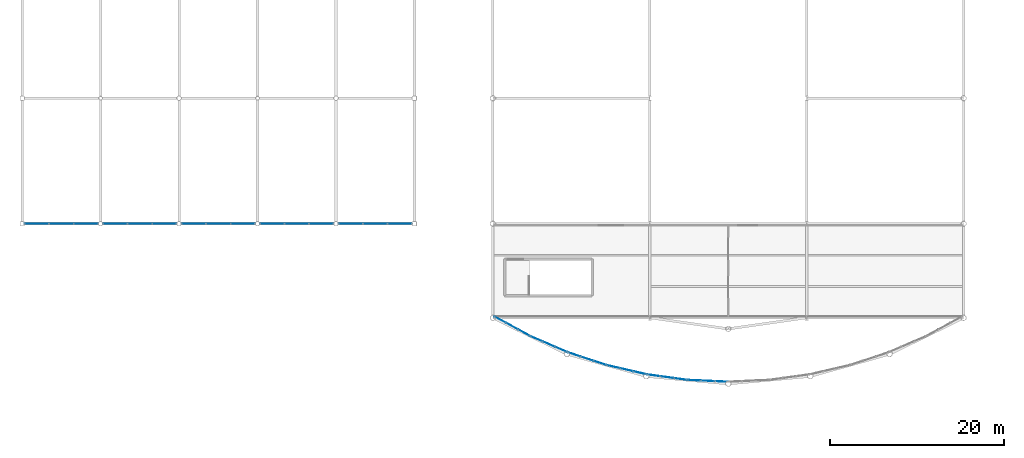
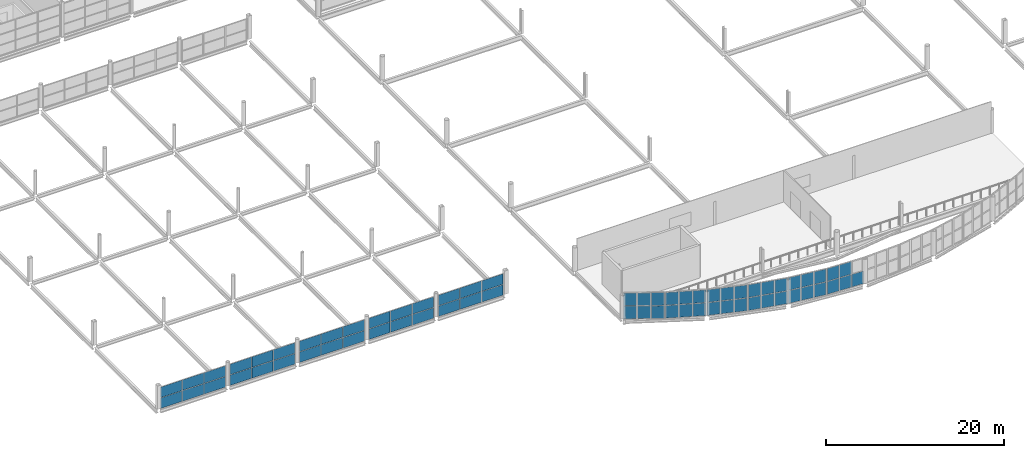
# One storey, part 112 of 134: 65 plates, 11 elements without a shape of their own.
"""IFC4 building model written with IfcOpenShell, lengths in metres."""

from ifc_helpers import new_model, si_unit, direction, frame, origin, origin_2d, place, context, subcontext, project, spatial, rectangle, extrude, material, layer, layer_set, type_object, element, aggregate, save


model = new_model("IFC4")

# Units and contexts
model_context = context("Model", 3, precision=1e-05, world=origin(), true_north=direction((0.0, 1.0)))
body_context = subcontext(model_context, "Body", "Model", "MODEL_VIEW")
ifc_project = project(units=[si_unit("LENGTHUNIT", "METRE"), si_unit("AREAUNIT", "SQUARE_METRE"), si_unit("VOLUMEUNIT", "CUBIC_METRE"), si_unit("PLANEANGLEUNIT", "RADIAN"), si_unit("MASSUNIT", "GRAM", prefix="KILO")], contexts=[model_context])

# Site, building, storey
site_placement = place(None, origin())
site = spatial("IfcSite", under=ifc_project, at=site_placement, CompositionType="ELEMENT")
building_placement = place(site_placement, origin())
building = spatial("IfcBuilding", under=site, at=building_placement, Name="Tamarisk Ironworks Central Station", CompositionType="ELEMENT")
storey_placement = place(building_placement, frame((0.0, 0.0, 12.60009765625)))
storey = spatial("IfcBuildingStorey", under=building, at=storey_placement, Name="L02", CompositionType="ELEMENT", Elevation=12.60009765625)

# Curtain wall, plates
ifc_material_1 = material(Name="Anodized aluminium alloy 6063-T6", Category="aluminium")
ifc_layer_1 = layer(ifc_material_1, 0.179931640625)
ifc_layer_set_1 = layer_set([ifc_layer_1], Name="Anodized aluminium alloy 6063-T6")
curtain_wall_type_1 = type_object("IfcCurtainWallType", Name="CW-08", PredefinedType="USERDEFINED", material=ifc_layer_set_1)
curtain_wall_1_placement = place(storey_placement, origin())
curtain_wall_1 = element("IfcCurtainWall", 1, at=curtain_wall_1_placement, inside=storey, type_object=curtain_wall_type_1, Name="Train shed WS clerestory curtain wall 000", ObjectType="GLAZED CURTAIN WALL", PredefinedType="USERDEFINED")
ifc_layer_2 = layer(ifc_material_1, 0.02392578125)
ifc_layer_set_2 = layer_set([ifc_layer_2], Name="Anodized aluminium alloy 6063-T6")
plate_type_1 = type_object("IfcPlateType", Name="PL-CWP24", PredefinedType="CURTAIN_PANEL", material=ifc_layer_set_2)
plate_1_placement = place(storey_placement, frame((1.6796875, 21.60009765625, -0.2060546875), z_axis=(0.0, 0.0, 1.0), x_axis=(1.0, 0.0, 0.0)))
plate_1 = element("IfcPlate", 2, at=plate_1_placement, type_object=plate_type_1, Name="CW08 panel 1.1", PredefinedType="CURTAIN_PANEL", context=body_context, shape_type="SweptSolid", body=[
    extrude(rectangle(XDim=2.75537109375, YDim=0.02392578125, at=origin_2d()), origin(), (0.0, 0.0, 1.0), 1.44189453125),
])
plate_2_placement = place(storey_placement, frame((1.6796875, 21.60009765625, 1.283935546875), z_axis=(0.0, 0.0, 1.0), x_axis=(1.0, 0.0, 0.0)))
plate_2 = element("IfcPlate", 3, at=plate_2_placement, type_object=plate_type_1, Name="CW08 panel 1.2", PredefinedType="CURTAIN_PANEL", context=body_context, shape_type="SweptSolid", body=[
    extrude(rectangle(XDim=2.75537109375, YDim=0.02392578125, at=origin_2d()), origin(), (0.0, 0.0, 1.0), 1.44189453125),
])
plate_3_placement = place(storey_placement, frame((4.498046875, 21.60009765625, -0.2060546875), z_axis=(0.0, 0.0, 1.0), x_axis=(1.0, 0.0, 0.0)))
plate_3 = element("IfcPlate", 4, at=plate_3_placement, type_object=plate_type_1, Name="CW08 panel 2.1", PredefinedType="CURTAIN_PANEL", context=body_context, shape_type="SweptSolid", body=[
    extrude(rectangle(XDim=2.785400390625, YDim=0.02392578125, at=origin_2d()), origin(), (0.0, 0.0, 1.0), 1.44189453125),
])
plate_4_placement = place(storey_placement, frame((4.498046875, 21.60009765625, 1.283935546875), z_axis=(0.0, 0.0, 1.0), x_axis=(1.0, 0.0, 0.0)))
plate_4 = element("IfcPlate", 5, at=plate_4_placement, type_object=plate_type_1, Name="CW08 panel 2.2", PredefinedType="CURTAIN_PANEL", context=body_context, shape_type="SweptSolid", body=[
    extrude(rectangle(XDim=2.785400390625, YDim=0.02392578125, at=origin_2d()), origin(), (0.0, 0.0, 1.0), 1.44189453125),
])
plate_5_placement = place(storey_placement, frame((7.31640625, 21.60009765625, -0.2060546875), z_axis=(0.0, 0.0, 1.0), x_axis=(1.0, 0.0, 0.0)))
plate_5 = element("IfcPlate", 6, at=plate_5_placement, type_object=plate_type_1, Name="CW08 panel 3.1", PredefinedType="CURTAIN_PANEL", context=body_context, shape_type="SweptSolid", body=[
    extrude(rectangle(XDim=2.75537109375, YDim=0.02392578125, at=origin_2d()), origin(), (0.0, 0.0, 1.0), 1.44189453125),
])
plate_6_placement = place(storey_placement, frame((7.31640625, 21.60009765625, 1.283935546875), z_axis=(0.0, 0.0, 1.0), x_axis=(1.0, 0.0, 0.0)))
plate_6 = element("IfcPlate", 7, at=plate_6_placement, type_object=plate_type_1, Name="CW08 panel 3.2", PredefinedType="CURTAIN_PANEL", context=body_context, shape_type="SweptSolid", body=[
    extrude(rectangle(XDim=2.75537109375, YDim=0.02392578125, at=origin_2d()), origin(), (0.0, 0.0, 1.0), 1.44189453125),
])
aggregate(curtain_wall_1, [plate_1, plate_2, plate_3, plate_4, plate_5, plate_6])

curtain_wall_2_placement = place(storey_placement, origin())
curtain_wall_2 = element("IfcCurtainWall", 8, at=curtain_wall_2_placement, inside=storey, type_object=curtain_wall_type_1, Name="Train shed WS clerestory curtain wall 009", ObjectType="GLAZED CURTAIN WALL", PredefinedType="USERDEFINED")
plate_7_placement = place(storey_placement, frame((10.68310546875, 21.60009765625, -0.2060546875), z_axis=(0.0, 0.0, 1.0), x_axis=(1.0, 0.0, 0.0)))
plate_7 = element("IfcPlate", 9, at=plate_7_placement, type_object=plate_type_1, Name="CW08 panel 1.1", PredefinedType="CURTAIN_PANEL", context=body_context, shape_type="SweptSolid", body=[
    extrude(rectangle(XDim=2.75390625, YDim=0.02392578125, at=origin_2d()), origin(), (0.0, 0.0, 1.0), 1.44189453125),
])
plate_8_placement = place(storey_placement, frame((10.68310546875, 21.60009765625, 1.283935546875), z_axis=(0.0, 0.0, 1.0), x_axis=(1.0, 0.0, 0.0)))
plate_8 = element("IfcPlate", 10, at=plate_8_placement, type_object=plate_type_1, Name="CW08 panel 1.2", PredefinedType="CURTAIN_PANEL", context=body_context, shape_type="SweptSolid", body=[
    extrude(rectangle(XDim=2.75390625, YDim=0.02392578125, at=origin_2d()), origin(), (0.0, 0.0, 1.0), 1.44189453125),
])
plate_9_placement = place(storey_placement, frame((13.5, 21.60009765625, -0.2060546875), z_axis=(0.0, 0.0, 1.0), x_axis=(1.0, 0.0, 0.0)))
plate_9 = element("IfcPlate", 11, at=plate_9_placement, type_object=plate_type_1, Name="CW08 panel 2.1", PredefinedType="CURTAIN_PANEL", context=body_context, shape_type="SweptSolid", body=[
    extrude(rectangle(XDim=2.783935546875, YDim=0.02392578125, at=origin_2d()), origin(), (0.0, 0.0, 1.0), 1.44189453125),
])
plate_10_placement = place(storey_placement, frame((13.5, 21.60009765625, 1.283935546875), z_axis=(0.0, 0.0, 1.0), x_axis=(1.0, 0.0, 0.0)))
plate_10 = element("IfcPlate", 12, at=plate_10_placement, type_object=plate_type_1, Name="CW08 panel 2.2", PredefinedType="CURTAIN_PANEL", context=body_context, shape_type="SweptSolid", body=[
    extrude(rectangle(XDim=2.783935546875, YDim=0.02392578125, at=origin_2d()), origin(), (0.0, 0.0, 1.0), 1.44189453125),
])
plate_11_placement = place(storey_placement, frame((16.31689453125, 21.60009765625, -0.2060546875), z_axis=(0.0, 0.0, 1.0), x_axis=(1.0, 0.0, 0.0)))
plate_11 = element("IfcPlate", 13, at=plate_11_placement, type_object=plate_type_1, Name="CW08 panel 3.1", PredefinedType="CURTAIN_PANEL", context=body_context, shape_type="SweptSolid", body=[
    extrude(rectangle(XDim=2.75390625, YDim=0.02392578125, at=origin_2d()), origin(), (0.0, 0.0, 1.0), 1.44189453125),
])
plate_12_placement = place(storey_placement, frame((16.31689453125, 21.60009765625, 1.283935546875), z_axis=(0.0, 0.0, 1.0), x_axis=(1.0, 0.0, 0.0)))
plate_12 = element("IfcPlate", 14, at=plate_12_placement, type_object=plate_type_1, Name="CW08 panel 3.2", PredefinedType="CURTAIN_PANEL", context=body_context, shape_type="SweptSolid", body=[
    extrude(rectangle(XDim=2.75390625, YDim=0.02392578125, at=origin_2d()), origin(), (0.0, 0.0, 1.0), 1.44189453125),
])
aggregate(curtain_wall_2, [plate_7, plate_8, plate_9, plate_10, plate_11, plate_12])

curtain_wall_3_placement = place(storey_placement, origin())
curtain_wall_3 = element("IfcCurtainWall", 15, at=curtain_wall_3_placement, inside=storey, type_object=curtain_wall_type_1, Name="Train shed WS clerestory curtain wall 018", ObjectType="GLAZED CURTAIN WALL", PredefinedType="USERDEFINED")
plate_13_placement = place(storey_placement, frame((19.68310546875, 21.60009765625, -0.2060546875), z_axis=(0.0, 0.0, 1.0), x_axis=(1.0, 0.0, 0.0)))
plate_13 = element("IfcPlate", 16, at=plate_13_placement, type_object=plate_type_1, Name="CW08 panel 1.1", PredefinedType="CURTAIN_PANEL", context=body_context, shape_type="SweptSolid", body=[
    extrude(rectangle(XDim=2.75390625, YDim=0.02392578125, at=origin_2d()), origin(), (0.0, 0.0, 1.0), 1.44189453125),
])
plate_14_placement = place(storey_placement, frame((19.68310546875, 21.60009765625, 1.283935546875), z_axis=(0.0, 0.0, 1.0), x_axis=(1.0, 0.0, 0.0)))
plate_14 = element("IfcPlate", 17, at=plate_14_placement, type_object=plate_type_1, Name="CW08 panel 1.2", PredefinedType="CURTAIN_PANEL", context=body_context, shape_type="SweptSolid", body=[
    extrude(rectangle(XDim=2.75390625, YDim=0.02392578125, at=origin_2d()), origin(), (0.0, 0.0, 1.0), 1.44189453125),
])
plate_15_placement = place(storey_placement, frame((22.5, 21.60009765625, -0.2060546875), z_axis=(0.0, 0.0, 1.0), x_axis=(1.0, 0.0, 0.0)))
plate_15 = element("IfcPlate", 18, at=plate_15_placement, type_object=plate_type_1, Name="CW08 panel 2.1", PredefinedType="CURTAIN_PANEL", context=body_context, shape_type="SweptSolid", body=[
    extrude(rectangle(XDim=2.783935546875, YDim=0.02392578125, at=origin_2d()), origin(), (0.0, 0.0, 1.0), 1.44189453125),
])
plate_16_placement = place(storey_placement, frame((22.5, 21.60009765625, 1.283935546875), z_axis=(0.0, 0.0, 1.0), x_axis=(1.0, 0.0, 0.0)))
plate_16 = element("IfcPlate", 19, at=plate_16_placement, type_object=plate_type_1, Name="CW08 panel 2.2", PredefinedType="CURTAIN_PANEL", context=body_context, shape_type="SweptSolid", body=[
    extrude(rectangle(XDim=2.783935546875, YDim=0.02392578125, at=origin_2d()), origin(), (0.0, 0.0, 1.0), 1.44189453125),
])
plate_17_placement = place(storey_placement, frame((25.31689453125, 21.60009765625, -0.2060546875), z_axis=(0.0, 0.0, 1.0), x_axis=(1.0, 0.0, 0.0)))
plate_17 = element("IfcPlate", 20, at=plate_17_placement, type_object=plate_type_1, Name="CW08 panel 3.1", PredefinedType="CURTAIN_PANEL", context=body_context, shape_type="SweptSolid", body=[
    extrude(rectangle(XDim=2.75390625, YDim=0.02392578125, at=origin_2d()), origin(), (0.0, 0.0, 1.0), 1.44189453125),
])
plate_18_placement = place(storey_placement, frame((25.31689453125, 21.60009765625, 1.283935546875), z_axis=(0.0, 0.0, 1.0), x_axis=(1.0, 0.0, 0.0)))
plate_18 = element("IfcPlate", 21, at=plate_18_placement, type_object=plate_type_1, Name="CW08 panel 3.2", PredefinedType="CURTAIN_PANEL", context=body_context, shape_type="SweptSolid", body=[
    extrude(rectangle(XDim=2.75390625, YDim=0.02392578125, at=origin_2d()), origin(), (0.0, 0.0, 1.0), 1.44189453125),
])
aggregate(curtain_wall_3, [plate_13, plate_14, plate_15, plate_16, plate_17, plate_18])

curtain_wall_4_placement = place(storey_placement, origin())
curtain_wall_4 = element("IfcCurtainWall", 22, at=curtain_wall_4_placement, inside=storey, type_object=curtain_wall_type_1, Name="Train shed WS clerestory curtain wall 027", ObjectType="GLAZED CURTAIN WALL", PredefinedType="USERDEFINED")
plate_19_placement = place(storey_placement, frame((28.68310546875, 21.60009765625, -0.2060546875), z_axis=(0.0, 0.0, 1.0), x_axis=(1.0, 0.0, 0.0)))
plate_19 = element("IfcPlate", 23, at=plate_19_placement, type_object=plate_type_1, Name="CW08 panel 1.1", PredefinedType="CURTAIN_PANEL", context=body_context, shape_type="SweptSolid", body=[
    extrude(rectangle(XDim=2.75390625, YDim=0.02392578125, at=origin_2d()), origin(), (0.0, 0.0, 1.0), 1.44189453125),
])
plate_20_placement = place(storey_placement, frame((28.68310546875, 21.60009765625, 1.283935546875), z_axis=(0.0, 0.0, 1.0), x_axis=(1.0, 0.0, 0.0)))
plate_20 = element("IfcPlate", 24, at=plate_20_placement, type_object=plate_type_1, Name="CW08 panel 1.2", PredefinedType="CURTAIN_PANEL", context=body_context, shape_type="SweptSolid", body=[
    extrude(rectangle(XDim=2.75390625, YDim=0.02392578125, at=origin_2d()), origin(), (0.0, 0.0, 1.0), 1.44189453125),
])
plate_21_placement = place(storey_placement, frame((31.5, 21.60009765625, -0.2060546875), z_axis=(0.0, 0.0, 1.0), x_axis=(1.0, 0.0, 0.0)))
plate_21 = element("IfcPlate", 25, at=plate_21_placement, type_object=plate_type_1, Name="CW08 panel 2.1", PredefinedType="CURTAIN_PANEL", context=body_context, shape_type="SweptSolid", body=[
    extrude(rectangle(XDim=2.783935546875, YDim=0.02392578125, at=origin_2d()), origin(), (0.0, 0.0, 1.0), 1.44189453125),
])
plate_22_placement = place(storey_placement, frame((31.5, 21.60009765625, 1.283935546875), z_axis=(0.0, 0.0, 1.0), x_axis=(1.0, 0.0, 0.0)))
plate_22 = element("IfcPlate", 26, at=plate_22_placement, type_object=plate_type_1, Name="CW08 panel 2.2", PredefinedType="CURTAIN_PANEL", context=body_context, shape_type="SweptSolid", body=[
    extrude(rectangle(XDim=2.783935546875, YDim=0.02392578125, at=origin_2d()), origin(), (0.0, 0.0, 1.0), 1.44189453125),
])
plate_23_placement = place(storey_placement, frame((34.31689453125, 21.60009765625, -0.2060546875), z_axis=(0.0, 0.0, 1.0), x_axis=(1.0, 0.0, 0.0)))
plate_23 = element("IfcPlate", 27, at=plate_23_placement, type_object=plate_type_1, Name="CW08 panel 3.1", PredefinedType="CURTAIN_PANEL", context=body_context, shape_type="SweptSolid", body=[
    extrude(rectangle(XDim=2.75390625, YDim=0.02392578125, at=origin_2d()), origin(), (0.0, 0.0, 1.0), 1.44189453125),
])
plate_24_placement = place(storey_placement, frame((34.31689453125, 21.60009765625, 1.283935546875), z_axis=(0.0, 0.0, 1.0), x_axis=(1.0, 0.0, 0.0)))
plate_24 = element("IfcPlate", 28, at=plate_24_placement, type_object=plate_type_1, Name="CW08 panel 3.2", PredefinedType="CURTAIN_PANEL", context=body_context, shape_type="SweptSolid", body=[
    extrude(rectangle(XDim=2.75390625, YDim=0.02392578125, at=origin_2d()), origin(), (0.0, 0.0, 1.0), 1.44189453125),
])
aggregate(curtain_wall_4, [plate_19, plate_20, plate_21, plate_22, plate_23, plate_24])

curtain_wall_5_placement = place(storey_placement, origin())
curtain_wall_5 = element("IfcCurtainWall", 29, at=curtain_wall_5_placement, inside=storey, type_object=curtain_wall_type_1, Name="Train shed WS clerestory curtain wall 036", ObjectType="GLAZED CURTAIN WALL", PredefinedType="USERDEFINED")
plate_25_placement = place(storey_placement, frame((37.68359375, 21.60009765625, -0.2060546875), z_axis=(0.0, 0.0, 1.0), x_axis=(1.0, 0.0, 0.0)))
plate_25 = element("IfcPlate", 30, at=plate_25_placement, type_object=plate_type_1, Name="CW08 panel 1.1", PredefinedType="CURTAIN_PANEL", context=body_context, shape_type="SweptSolid", body=[
    extrude(rectangle(XDim=2.75537109375, YDim=0.02392578125, at=origin_2d()), origin(), (0.0, 0.0, 1.0), 1.44189453125),
])
plate_26_placement = place(storey_placement, frame((37.68359375, 21.60009765625, 1.283935546875), z_axis=(0.0, 0.0, 1.0), x_axis=(1.0, 0.0, 0.0)))
plate_26 = element("IfcPlate", 31, at=plate_26_placement, type_object=plate_type_1, Name="CW08 panel 1.2", PredefinedType="CURTAIN_PANEL", context=body_context, shape_type="SweptSolid", body=[
    extrude(rectangle(XDim=2.75537109375, YDim=0.02392578125, at=origin_2d()), origin(), (0.0, 0.0, 1.0), 1.44189453125),
])
plate_27_placement = place(storey_placement, frame((40.501953125, 21.60009765625, -0.2060546875), z_axis=(0.0, 0.0, 1.0), x_axis=(1.0, 0.0, 0.0)))
plate_27 = element("IfcPlate", 32, at=plate_27_placement, type_object=plate_type_1, Name="CW08 panel 2.1", PredefinedType="CURTAIN_PANEL", context=body_context, shape_type="SweptSolid", body=[
    extrude(rectangle(XDim=2.785400390625, YDim=0.02392578125, at=origin_2d()), origin(), (0.0, 0.0, 1.0), 1.44189453125),
])
plate_28_placement = place(storey_placement, frame((40.501953125, 21.60009765625, 1.283935546875), z_axis=(0.0, 0.0, 1.0), x_axis=(1.0, 0.0, 0.0)))
plate_28 = element("IfcPlate", 33, at=plate_28_placement, type_object=plate_type_1, Name="CW08 panel 2.2", PredefinedType="CURTAIN_PANEL", context=body_context, shape_type="SweptSolid", body=[
    extrude(rectangle(XDim=2.785400390625, YDim=0.02392578125, at=origin_2d()), origin(), (0.0, 0.0, 1.0), 1.44189453125),
])
plate_29_placement = place(storey_placement, frame((43.3203125, 21.60009765625, -0.2060546875), z_axis=(0.0, 0.0, 1.0), x_axis=(1.0, 0.0, 0.0)))
plate_29 = element("IfcPlate", 34, at=plate_29_placement, type_object=plate_type_1, Name="CW08 panel 3.1", PredefinedType="CURTAIN_PANEL", context=body_context, shape_type="SweptSolid", body=[
    extrude(rectangle(XDim=2.75537109375, YDim=0.02392578125, at=origin_2d()), origin(), (0.0, 0.0, 1.0), 1.44189453125),
])
plate_30_placement = place(storey_placement, frame((43.3203125, 21.60009765625, 1.283935546875), z_axis=(0.0, 0.0, 1.0), x_axis=(1.0, 0.0, 0.0)))
plate_30 = element("IfcPlate", 35, at=plate_30_placement, type_object=plate_type_1, Name="CW08 panel 3.2", PredefinedType="CURTAIN_PANEL", context=body_context, shape_type="SweptSolid", body=[
    extrude(rectangle(XDim=2.75537109375, YDim=0.02392578125, at=origin_2d()), origin(), (0.0, 0.0, 1.0), 1.44189453125),
])
aggregate(curtain_wall_5, [plate_25, plate_26, plate_27, plate_28, plate_29, plate_30])

ifc_layer_3 = layer(ifc_material_1, 0.179931640625)
ifc_layer_set_3 = layer_set([ifc_layer_3], Name="Anodized aluminium alloy 6063-T6")
curtain_wall_type_2 = type_object("IfcCurtainWallType", Name="CW-03", PredefinedType="USERDEFINED", material=ifc_layer_set_3)
curtain_wall_6_placement = place(storey_placement, origin())
curtain_wall_6 = element("IfcCurtainWall", 36, at=curtain_wall_6_placement, inside=storey, type_object=curtain_wall_type_2, Name="SN rounded entrance hall L02 curtain wall bay 01", ObjectType="GLAZED CURTAIN WALL", PredefinedType="USERDEFINED")
ifc_material_2 = material(Name="Laminated solar-control low-E glass", Category="glass")
ifc_layer_4 = layer(ifc_material_2, 0.028076171875)
ifc_layer_set_4 = layer_set([ifc_layer_4], Name="Laminated solar-control low-E glass")
plate_type_2 = type_object("IfcPlateType", Name="PL-CWP28", PredefinedType="CURTAIN_PANEL", material=ifc_layer_set_4)
plate_31_placement = place(storey_placement, frame((54.82080078125, 10.6015625, -0.316162109375), z_axis=(0.0, 0.0, 1.0), x_axis=(0.877374910495, -0.47980544644, 0.0)))
plate_31 = element("IfcPlate", 37, at=plate_31_placement, type_object=plate_type_2, Name="CW03 panel 1.1", PredefinedType="CURTAIN_PANEL", context=body_context, shape_type="SweptSolid", body=[
    extrude(rectangle(XDim=1.469482421875, YDim=0.028076171875, at=origin_2d()), origin(), (0.0, 0.0, 1.0), 1.73193359375),
])
plate_32_placement = place(storey_placement, frame((54.82080078125, 10.6015625, 1.47900390625), z_axis=(0.0, 0.0, 1.0), x_axis=(0.877374910495, -0.47980544644, 0.0)))
plate_32 = element("IfcPlate", 38, at=plate_32_placement, type_object=plate_type_2, Name="CW03 panel 1.2", PredefinedType="CURTAIN_PANEL", context=body_context, shape_type="SweptSolid", body=[
    extrude(rectangle(XDim=1.469482421875, YDim=0.028076171875, at=origin_2d()), origin(), (0.0, 0.0, 1.0), 1.73193359375),
])
plate_33_placement = place(storey_placement, frame((56.181640625, 9.857177734375, -0.316162109375), z_axis=(0.0, 0.0, 1.0), x_axis=(0.877374910495, -0.47980544644, 0.0)))
plate_33 = element("IfcPlate", 39, at=plate_33_placement, type_object=plate_type_2, Name="CW03 panel 2.1", PredefinedType="CURTAIN_PANEL", context=body_context, shape_type="SweptSolid", body=[
    extrude(rectangle(XDim=1.5068359375, YDim=0.028076171875, at=origin_2d()), origin(), (0.0, 0.0, 1.0), 1.73193359375),
])
plate_34_placement = place(storey_placement, frame((56.181640625, 9.857177734375, 1.47900390625), z_axis=(0.0, 0.0, 1.0), x_axis=(0.877374910495, -0.47980544644, 0.0)))
plate_34 = element("IfcPlate", 40, at=plate_34_placement, type_object=plate_type_2, Name="CW03 panel 2.2", PredefinedType="CURTAIN_PANEL", context=body_context, shape_type="SweptSolid", body=[
    extrude(rectangle(XDim=1.5068359375, YDim=0.028076171875, at=origin_2d()), origin(), (0.0, 0.0, 1.0), 1.73193359375),
])
plate_35_placement = place(storey_placement, frame((57.542724609375, 9.113037109375, -0.316162109375), z_axis=(0.0, 0.0, 1.0), x_axis=(0.877374910495, -0.47980544644, 0.0)))
plate_35 = element("IfcPlate", 41, at=plate_35_placement, type_object=plate_type_2, Name="CW03 panel 3.1", PredefinedType="CURTAIN_PANEL", context=body_context, shape_type="SweptSolid", body=[
    extrude(rectangle(XDim=1.469482421875, YDim=0.028076171875, at=origin_2d()), origin(), (0.0, 0.0, 1.0), 1.73193359375),
])
plate_36_placement = place(storey_placement, frame((57.542724609375, 9.113037109375, 1.47900390625), z_axis=(0.0, 0.0, 1.0), x_axis=(0.877374910495, -0.47980544644, 0.0)))
plate_36 = element("IfcPlate", 42, at=plate_36_placement, type_object=plate_type_2, Name="CW03 panel 3.2", PredefinedType="CURTAIN_PANEL", context=body_context, shape_type="SweptSolid", body=[
    extrude(rectangle(XDim=1.469482421875, YDim=0.028076171875, at=origin_2d()), origin(), (0.0, 0.0, 1.0), 1.73193359375),
])
aggregate(curtain_wall_6, [plate_31, plate_32, plate_33, plate_34, plate_35, plate_36])

curtain_wall_7_placement = place(storey_placement, origin())
curtain_wall_7 = element("IfcCurtainWall", 43, at=curtain_wall_7_placement, inside=storey, type_object=curtain_wall_type_2, Name="SN rounded entrance hall L02 curtain wall bay 02", ObjectType="GLAZED CURTAIN WALL", PredefinedType="USERDEFINED")
plate_37_placement = place(storey_placement, frame((58.985107421875, 8.407470703125, -0.316162109375), z_axis=(0.0, 0.0, 1.0), x_axis=(0.917352033503, -0.398076935564, 0.0)))
plate_37 = element("IfcPlate", 44, at=plate_37_placement, type_object=plate_type_2, Name="CW03 panel 1.1", PredefinedType="CURTAIN_PANEL", context=body_context, shape_type="SweptSolid", body=[
    extrude(rectangle(XDim=1.469482421875, YDim=0.028076171875, at=origin_2d()), origin(), (0.0, 0.0, 1.0), 1.73193359375),
])
plate_38_placement = place(storey_placement, frame((58.985107421875, 8.407470703125, 1.47900390625), z_axis=(0.0, 0.0, 1.0), x_axis=(0.917352033503, -0.398076935564, 0.0)))
plate_38 = element("IfcPlate", 45, at=plate_38_placement, type_object=plate_type_2, Name="CW03 panel 1.2", PredefinedType="CURTAIN_PANEL", context=body_context, shape_type="SweptSolid", body=[
    extrude(rectangle(XDim=1.469482421875, YDim=0.028076171875, at=origin_2d()), origin(), (0.0, 0.0, 1.0), 1.73193359375),
])
plate_39_placement = place(storey_placement, frame((60.407958984375, 7.7900390625, -0.316162109375), z_axis=(0.0, 0.0, 1.0), x_axis=(0.917352033503, -0.398076935564, 0.0)))
plate_39 = element("IfcPlate", 46, at=plate_39_placement, type_object=plate_type_2, Name="CW03 panel 2.1", PredefinedType="CURTAIN_PANEL", context=body_context, shape_type="SweptSolid", body=[
    extrude(rectangle(XDim=1.5068359375, YDim=0.028076171875, at=origin_2d()), origin(), (0.0, 0.0, 1.0), 1.73193359375),
])
plate_40_placement = place(storey_placement, frame((60.407958984375, 7.7900390625, 1.47900390625), z_axis=(0.0, 0.0, 1.0), x_axis=(0.917352033503, -0.398076935564, 0.0)))
plate_40 = element("IfcPlate", 47, at=plate_40_placement, type_object=plate_type_2, Name="CW03 panel 2.2", PredefinedType="CURTAIN_PANEL", context=body_context, shape_type="SweptSolid", body=[
    extrude(rectangle(XDim=1.5068359375, YDim=0.028076171875, at=origin_2d()), origin(), (0.0, 0.0, 1.0), 1.73193359375),
])
plate_41_placement = place(storey_placement, frame((61.8310546875, 7.172607421875, -0.316162109375), z_axis=(0.0, 0.0, 1.0), x_axis=(0.917352033503, -0.398076935564, 0.0)))
plate_41 = element("IfcPlate", 48, at=plate_41_placement, type_object=plate_type_2, Name="CW03 panel 3.1", PredefinedType="CURTAIN_PANEL", context=body_context, shape_type="SweptSolid", body=[
    extrude(rectangle(XDim=1.469482421875, YDim=0.028076171875, at=origin_2d()), origin(), (0.0, 0.0, 1.0), 1.73193359375),
])
plate_42_placement = place(storey_placement, frame((61.8310546875, 7.172607421875, 1.47900390625), z_axis=(0.0, 0.0, 1.0), x_axis=(0.917352033503, -0.398076935564, 0.0)))
plate_42 = element("IfcPlate", 49, at=plate_42_placement, type_object=plate_type_2, Name="CW03 panel 3.2", PredefinedType="CURTAIN_PANEL", context=body_context, shape_type="SweptSolid", body=[
    extrude(rectangle(XDim=1.469482421875, YDim=0.028076171875, at=origin_2d()), origin(), (0.0, 0.0, 1.0), 1.73193359375),
])
aggregate(curtain_wall_7, [plate_37, plate_38, plate_39, plate_40, plate_41, plate_42])

curtain_wall_8_placement = place(storey_placement, origin())
curtain_wall_8 = element("IfcCurtainWall", 50, at=curtain_wall_8_placement, inside=storey, type_object=curtain_wall_type_2, Name="SN rounded entrance hall L02 curtain wall bay 03", ObjectType="GLAZED CURTAIN WALL", PredefinedType="USERDEFINED")
plate_43_placement = place(storey_placement, frame((63.33154296875, 6.60107421875, -0.316162109375), z_axis=(0.0, 0.0, 1.0), x_axis=(0.949720671692, -0.313098460171, 0.0)))
plate_43 = element("IfcPlate", 51, at=plate_43_placement, type_object=plate_type_2, Name="CW03 panel 1.1", PredefinedType="CURTAIN_PANEL", context=body_context, shape_type="SweptSolid", body=[
    extrude(rectangle(XDim=1.469482421875, YDim=0.028076171875, at=origin_2d()), origin(), (0.0, 0.0, 1.0), 1.73193359375),
])
plate_44_placement = place(storey_placement, frame((63.33154296875, 6.60107421875, 1.47900390625), z_axis=(0.0, 0.0, 1.0), x_axis=(0.949720671692, -0.313098460171, 0.0)))
plate_44 = element("IfcPlate", 52, at=plate_44_placement, type_object=plate_type_2, Name="CW03 panel 1.2", PredefinedType="CURTAIN_PANEL", context=body_context, shape_type="SweptSolid", body=[
    extrude(rectangle(XDim=1.469482421875, YDim=0.028076171875, at=origin_2d()), origin(), (0.0, 0.0, 1.0), 1.73193359375),
])
plate_45_placement = place(storey_placement, frame((64.8046875, 6.115234375, -0.316162109375), z_axis=(0.0, 0.0, 1.0), x_axis=(0.949720671692, -0.313098460171, 0.0)))
plate_45 = element("IfcPlate", 53, at=plate_45_placement, type_object=plate_type_2, Name="CW03 panel 2.1", PredefinedType="CURTAIN_PANEL", context=body_context, shape_type="SweptSolid", body=[
    extrude(rectangle(XDim=1.5068359375, YDim=0.028076171875, at=origin_2d()), origin(), (0.0, 0.0, 1.0), 1.73193359375),
])
plate_46_placement = place(storey_placement, frame((64.8046875, 6.115234375, 1.47900390625), z_axis=(0.0, 0.0, 1.0), x_axis=(0.949720671692, -0.313098460171, 0.0)))
plate_46 = element("IfcPlate", 54, at=plate_46_placement, type_object=plate_type_2, Name="CW03 panel 2.2", PredefinedType="CURTAIN_PANEL", context=body_context, shape_type="SweptSolid", body=[
    extrude(rectangle(XDim=1.5068359375, YDim=0.028076171875, at=origin_2d()), origin(), (0.0, 0.0, 1.0), 1.73193359375),
])
plate_47_placement = place(storey_placement, frame((66.27783203125, 5.629638671875, -0.316162109375), z_axis=(0.0, 0.0, 1.0), x_axis=(0.949720671692, -0.313098460171, 0.0)))
plate_47 = element("IfcPlate", 55, at=plate_47_placement, type_object=plate_type_2, Name="CW03 panel 3.1", PredefinedType="CURTAIN_PANEL", context=body_context, shape_type="SweptSolid", body=[
    extrude(rectangle(XDim=1.469482421875, YDim=0.028076171875, at=origin_2d()), origin(), (0.0, 0.0, 1.0), 1.73193359375),
])
plate_48_placement = place(storey_placement, frame((66.27783203125, 5.629638671875, 1.47900390625), z_axis=(0.0, 0.0, 1.0), x_axis=(0.949720671692, -0.313098460171, 0.0)))
plate_48 = element("IfcPlate", 56, at=plate_48_placement, type_object=plate_type_2, Name="CW03 panel 3.2", PredefinedType="CURTAIN_PANEL", context=body_context, shape_type="SweptSolid", body=[
    extrude(rectangle(XDim=1.469482421875, YDim=0.028076171875, at=origin_2d()), origin(), (0.0, 0.0, 1.0), 1.73193359375),
])
aggregate(curtain_wall_8, [plate_43, plate_44, plate_45, plate_46, plate_47, plate_48])

curtain_wall_9_placement = place(storey_placement, origin())
curtain_wall_9 = element("IfcCurtainWall", 57, at=curtain_wall_9_placement, inside=storey, type_object=curtain_wall_type_2, Name="SN rounded entrance hall L02 curtain wall bay 04", ObjectType="GLAZED CURTAIN WALL", PredefinedType="USERDEFINED")
plate_49_placement = place(storey_placement, frame((67.823974609375, 5.19677734375, -0.316162109375), z_axis=(0.0, 0.0, 1.0), x_axis=(0.974239240545, -0.225516966506, 0.0)))
plate_49 = element("IfcPlate", 58, at=plate_49_placement, type_object=plate_type_2, Name="CW03 panel 1.1", PredefinedType="CURTAIN_PANEL", context=body_context, shape_type="SweptSolid", body=[
    extrude(rectangle(XDim=1.469482421875, YDim=0.028076171875, at=origin_2d()), origin(), (0.0, 0.0, 1.0), 1.73193359375),
])
plate_50_placement = place(storey_placement, frame((67.823974609375, 5.19677734375, 1.47900390625), z_axis=(0.0, 0.0, 1.0), x_axis=(0.974239240545, -0.225516966506, 0.0)))
plate_50 = element("IfcPlate", 59, at=plate_50_placement, type_object=plate_type_2, Name="CW03 panel 1.2", PredefinedType="CURTAIN_PANEL", context=body_context, shape_type="SweptSolid", body=[
    extrude(rectangle(XDim=1.469482421875, YDim=0.028076171875, at=origin_2d()), origin(), (0.0, 0.0, 1.0), 1.73193359375),
])
plate_51_placement = place(storey_placement, frame((69.335205078125, 4.846923828125, -0.316162109375), z_axis=(0.0, 0.0, 1.0), x_axis=(0.974239240545, -0.225516966506, 0.0)))
plate_51 = element("IfcPlate", 60, at=plate_51_placement, type_object=plate_type_2, Name="CW03 panel 2.1", PredefinedType="CURTAIN_PANEL", context=body_context, shape_type="SweptSolid", body=[
    extrude(rectangle(XDim=1.5068359375, YDim=0.028076171875, at=origin_2d()), origin(), (0.0, 0.0, 1.0), 1.73193359375),
])
plate_52_placement = place(storey_placement, frame((69.335205078125, 4.846923828125, 1.47900390625), z_axis=(0.0, 0.0, 1.0), x_axis=(0.974239240545, -0.225516966506, 0.0)))
plate_52 = element("IfcPlate", 61, at=plate_52_placement, type_object=plate_type_2, Name="CW03 panel 2.2", PredefinedType="CURTAIN_PANEL", context=body_context, shape_type="SweptSolid", body=[
    extrude(rectangle(XDim=1.5068359375, YDim=0.028076171875, at=origin_2d()), origin(), (0.0, 0.0, 1.0), 1.73193359375),
])
plate_53_placement = place(storey_placement, frame((70.846435546875, 4.4970703125, -0.316162109375), z_axis=(0.0, 0.0, 1.0), x_axis=(0.974239240545, -0.225516966506, 0.0)))
plate_53 = element("IfcPlate", 62, at=plate_53_placement, type_object=plate_type_2, Name="CW03 panel 3.1", PredefinedType="CURTAIN_PANEL", context=body_context, shape_type="SweptSolid", body=[
    extrude(rectangle(XDim=1.469482421875, YDim=0.028076171875, at=origin_2d()), origin(), (0.0, 0.0, 1.0), 1.73193359375),
])
plate_54_placement = place(storey_placement, frame((70.846435546875, 4.4970703125, 1.47900390625), z_axis=(0.0, 0.0, 1.0), x_axis=(0.974239240545, -0.225516966506, 0.0)))
plate_54 = element("IfcPlate", 63, at=plate_54_placement, type_object=plate_type_2, Name="CW03 panel 3.2", PredefinedType="CURTAIN_PANEL", context=body_context, shape_type="SweptSolid", body=[
    extrude(rectangle(XDim=1.469482421875, YDim=0.028076171875, at=origin_2d()), origin(), (0.0, 0.0, 1.0), 1.73193359375),
])
aggregate(curtain_wall_9, [plate_49, plate_50, plate_51, plate_52, plate_53, plate_54])

curtain_wall_10_placement = place(storey_placement, origin())
curtain_wall_10 = element("IfcCurtainWall", 64, at=curtain_wall_10_placement, inside=storey, type_object=curtain_wall_type_2, Name="SN rounded entrance hall L02 curtain wall bay 05", ObjectType="GLAZED CURTAIN WALL", PredefinedType="USERDEFINED")
plate_55_placement = place(storey_placement, frame((72.425537109375, 4.20654296875, -0.316162109375), z_axis=(0.0, 0.0, 1.0), x_axis=(0.990703108403, -0.136041725218, 0.0)))
plate_55 = element("IfcPlate", 65, at=plate_55_placement, type_object=plate_type_2, Name="CW03 panel 1.1", PredefinedType="CURTAIN_PANEL", context=body_context, shape_type="SweptSolid", body=[
    extrude(rectangle(XDim=1.469482421875, YDim=0.028076171875, at=origin_2d()), origin(), (0.0, 0.0, 1.0), 1.73193359375),
])
plate_56_placement = place(storey_placement, frame((72.425537109375, 4.20654296875, 1.47900390625), z_axis=(0.0, 0.0, 1.0), x_axis=(0.990703108403, -0.136041725218, 0.0)))
plate_56 = element("IfcPlate", 66, at=plate_56_placement, type_object=plate_type_2, Name="CW03 panel 1.2", PredefinedType="CURTAIN_PANEL", context=body_context, shape_type="SweptSolid", body=[
    extrude(rectangle(XDim=1.469482421875, YDim=0.028076171875, at=origin_2d()), origin(), (0.0, 0.0, 1.0), 1.73193359375),
])
plate_57_placement = place(storey_placement, frame((73.96240234375, 3.99560546875, -0.316162109375), z_axis=(0.0, 0.0, 1.0), x_axis=(0.990703108403, -0.136041725218, 0.0)))
plate_57 = element("IfcPlate", 67, at=plate_57_placement, type_object=plate_type_2, Name="CW03 panel 2.1", PredefinedType="CURTAIN_PANEL", context=body_context, shape_type="SweptSolid", body=[
    extrude(rectangle(XDim=1.5068359375, YDim=0.028076171875, at=origin_2d()), origin(), (0.0, 0.0, 1.0), 1.73193359375),
])
plate_58_placement = place(storey_placement, frame((73.96240234375, 3.99560546875, 1.47900390625), z_axis=(0.0, 0.0, 1.0), x_axis=(0.990703108403, -0.136041725218, 0.0)))
plate_58 = element("IfcPlate", 68, at=plate_58_placement, type_object=plate_type_2, Name="CW03 panel 2.2", PredefinedType="CURTAIN_PANEL", context=body_context, shape_type="SweptSolid", body=[
    extrude(rectangle(XDim=1.5068359375, YDim=0.028076171875, at=origin_2d()), origin(), (0.0, 0.0, 1.0), 1.73193359375),
])
plate_59_placement = place(storey_placement, frame((75.4990234375, 3.784423828125, -0.316162109375), z_axis=(0.0, 0.0, 1.0), x_axis=(0.990703108403, -0.136041725218, 0.0)))
plate_59 = element("IfcPlate", 69, at=plate_59_placement, type_object=plate_type_2, Name="CW03 panel 3.1", PredefinedType="CURTAIN_PANEL", context=body_context, shape_type="SweptSolid", body=[
    extrude(rectangle(XDim=1.469482421875, YDim=0.028076171875, at=origin_2d()), origin(), (0.0, 0.0, 1.0), 1.73193359375),
])
plate_60_placement = place(storey_placement, frame((75.4990234375, 3.784423828125, 1.47900390625), z_axis=(0.0, 0.0, 1.0), x_axis=(0.990703108403, -0.136041725218, 0.0)))
plate_60 = element("IfcPlate", 70, at=plate_60_placement, type_object=plate_type_2, Name="CW03 panel 3.2", PredefinedType="CURTAIN_PANEL", context=body_context, shape_type="SweptSolid", body=[
    extrude(rectangle(XDim=1.469482421875, YDim=0.028076171875, at=origin_2d()), origin(), (0.0, 0.0, 1.0), 1.73193359375),
])
aggregate(curtain_wall_10, [plate_55, plate_56, plate_57, plate_58, plate_59, plate_60])

curtain_wall_11_placement = place(storey_placement, origin())
curtain_wall_11 = element("IfcCurtainWall", 71, at=curtain_wall_11_placement, inside=storey, type_object=curtain_wall_type_2, Name="SN rounded entrance hall L02 curtain wall bay 06", ObjectType="GLAZED CURTAIN WALL", PredefinedType="USERDEFINED")
plate_61_placement = place(storey_placement, frame((77.09814453125, 3.638671875, -0.316162109375), z_axis=(0.0, 0.0, 1.0), x_axis=(0.998965210312, -0.045480859558, 0.0)))
plate_61 = element("IfcPlate", 72, at=plate_61_placement, type_object=plate_type_2, Name="CW03 panel 1.1", PredefinedType="CURTAIN_PANEL", context=body_context, shape_type="SweptSolid", body=[
    extrude(rectangle(XDim=1.469482421875, YDim=0.028076171875, at=origin_2d()), origin(), (0.0, 0.0, 1.0), 1.73193359375),
])
plate_62_placement = place(storey_placement, frame((77.09814453125, 3.638671875, 1.47900390625), z_axis=(0.0, 0.0, 1.0), x_axis=(0.998965210312, -0.045480859558, 0.0)))
plate_62 = element("IfcPlate", 73, at=plate_62_placement, type_object=plate_type_2, Name="CW03 panel 1.2", PredefinedType="CURTAIN_PANEL", context=body_context, shape_type="SweptSolid", body=[
    extrude(rectangle(XDim=1.469482421875, YDim=0.028076171875, at=origin_2d()), origin(), (0.0, 0.0, 1.0), 1.73193359375),
])
plate_63_placement = place(storey_placement, frame((78.647705078125, 3.568115234375, -0.316162109375), z_axis=(0.0, 0.0, 1.0), x_axis=(0.998965210312, -0.045480859558, 0.0)))
plate_63 = element("IfcPlate", 74, at=plate_63_placement, type_object=plate_type_2, Name="CW03 panel 2.1", PredefinedType="CURTAIN_PANEL", context=body_context, shape_type="SweptSolid", body=[
    extrude(rectangle(XDim=1.5068359375, YDim=0.028076171875, at=origin_2d()), origin(), (0.0, 0.0, 1.0), 1.73193359375),
])
plate_64_placement = place(storey_placement, frame((78.647705078125, 3.568115234375, 1.47900390625), z_axis=(0.0, 0.0, 1.0), x_axis=(0.998965210312, -0.045480859558, 0.0)))
plate_64 = element("IfcPlate", 75, at=plate_64_placement, type_object=plate_type_2, Name="CW03 panel 2.2", PredefinedType="CURTAIN_PANEL", context=body_context, shape_type="SweptSolid", body=[
    extrude(rectangle(XDim=1.5068359375, YDim=0.028076171875, at=origin_2d()), origin(), (0.0, 0.0, 1.0), 1.73193359375),
])
plate_65_placement = place(storey_placement, frame((80.197021484375, 3.49755859375, -0.316162109375), z_axis=(0.0, 0.0, 1.0), x_axis=(0.998965210312, -0.045480859558, 0.0)))
plate_65 = element("IfcPlate", 76, at=plate_65_placement, type_object=plate_type_2, Name="CW03 panel 3.1", PredefinedType="CURTAIN_PANEL", context=body_context, shape_type="SweptSolid", body=[
    extrude(rectangle(XDim=1.469482421875, YDim=0.028076171875, at=origin_2d()), origin(), (0.0, 0.0, 1.0), 1.73193359375),
])
aggregate(curtain_wall_11, [plate_61, plate_62, plate_63, plate_64, plate_65])

save(model, "model.ifc")
